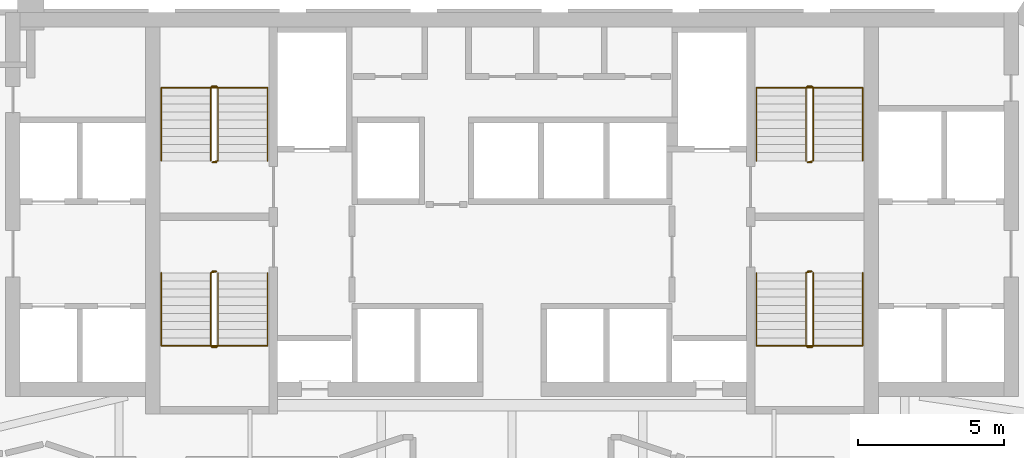
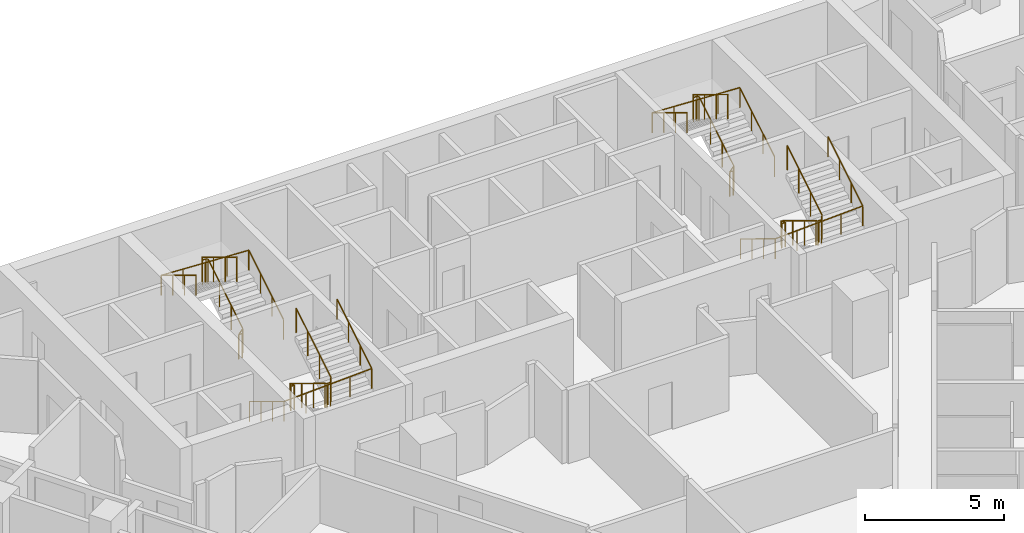
# One storey, part 11 of 11: 8 railings.
"""IFC4 building model written with IfcOpenShell, lengths in metres."""

from ifc_helpers import new_model, si_unit, direction, frame, origin, origin_2d, place, context, subcontext, project, spatial, circle, extrude, material, type_object, element, save


model = new_model("IFC4")

# Units and contexts
model_context = context("Model", 3, precision=1e-05, world=origin(), true_north=direction((0.0, 1.0)))
body_context = subcontext(model_context, "Body", "Model", "MODEL_VIEW")
ifc_project = project(units=[si_unit("LENGTHUNIT", "METRE"), si_unit("AREAUNIT", "SQUARE_METRE"), si_unit("VOLUMEUNIT", "CUBIC_METRE"), si_unit("PLANEANGLEUNIT", "RADIAN"), si_unit("MASSUNIT", "GRAM", prefix="KILO")], contexts=[model_context])

# Site, building, storey
site_placement = place(None, origin())
site = spatial("IfcSite", under=ifc_project, at=site_placement, CompositionType="ELEMENT")
building_placement = place(site_placement, origin())
building = spatial("IfcBuilding", under=site, at=building_placement, Name="Calabash Gate Tower", CompositionType="ELEMENT")
storey_placement = place(building_placement, frame((0.0, 0.0, 115.60009765625)))
storey = spatial("IfcBuildingStorey", under=building, at=storey_placement, Name="L26", CompositionType="ELEMENT", Elevation=115.60009765625)

# Railings
ifc_material_1 = material(Name="Black powder-coated steel balusters", Category="steel")
railing_type_1 = type_object("IfcRailingType", Name="Stair guard RL1100", PredefinedType="GUARDRAIL", material=ifc_material_1)
railing_1_placement = place(storey_placement, frame((-10.14990234375, 13.902587890625, 0.0)))
element("IfcRailing", 1, at=railing_1_placement, inside=storey, type_object=railing_type_1, Name="L26 ST1 stair guard 1", PredefinedType="GUARDRAIL", context=body_context, shape_type="SweptSolid", body=[
    extrude(circle(Radius=0.02392578125, at=origin_2d()), frame((0.0, 0.0, 1.076171875), z_axis=(-1.0, 0.0, 0.0), x_axis=(0.0, -1.0, 0.0)), (0.0, 0.0, 1.0), 0.150146484375),
    extrude(circle(Radius=0.02392578125, at=origin_2d()), frame((-0.150146484375, 0.0, 1.076171875), z_axis=(0.748514443355, 0.187357095101, 0.636100186295), x_axis=(-0.242814311512, 0.970072785993, 0.0)), (0.0, 0.0, 1.0), 0.26708984375),
    extrude(circle(Radius=0.02392578125, at=origin_2d()), frame((0.0498046875, 0.050048828125, 1.24609375), z_axis=(0.0, 0.853956361026, 0.520344629514), x_axis=(-1.0, 0.0, 0.0)), (0.0, 0.0, 1.0), 2.9404296875),
    extrude(circle(Radius=0.02392578125, at=origin_2d()), frame((0.0498046875, 2.56103515625, 2.77587890625), z_axis=(-0.705375805398, 0.708833529934, 0.0), x_axis=(-0.708833529934, -0.705375805398, 0.0)), (0.0, 0.0, 1.0), 0.070556640625),
    extrude(circle(Radius=0.02392578125, at=origin_2d()), frame((0.0, 2.611083984375, 2.77587890625), z_axis=(-1.0, 0.0, 0.0), x_axis=(0.0, -1.0, 0.0)), (0.0, 0.0, 1.0), 0.150146484375),
    extrude(circle(Radius=0.02392578125, at=origin_2d()), frame((-0.150146484375, 2.611083984375, 2.77587890625), z_axis=(-0.271895245746, -0.271895245746, 0.923117517265), x_axis=(0.707106781187, -0.707106781187, 0.0)), (0.0, 0.0, 1.0), 0.18408203125),
    extrude(circle(Radius=0.02392578125, at=origin_2d()), frame((-0.2001953125, 2.56103515625, 2.94580078125), z_axis=(0.0, -0.853956361026, 0.520344629514), x_axis=(1.0, 0.0, 0.0)), (0.0, 0.0, 1.0), 2.9404296875),
    extrude(circle(Radius=0.02099609375, at=origin_2d()), origin(), (0.0, 0.0, 1.0), 1.052001953125),
    extrude(circle(Radius=0.02099609375, at=origin_2d()), frame((-0.150146484375, 0.0, 0.0)), (0.0, 0.0, 1.0), 1.052001953125),
    extrude(circle(Radius=0.02099609375, at=origin_2d()), frame((0.0498046875, 0.050048828125, 0.169921875)), (0.0, 0.0, 1.0), 1.052001953125),
    extrude(circle(Radius=0.02099609375, at=origin_2d()), frame((0.0498046875, 0.886962890625, 0.679931640625)), (0.0, 0.0, 1.0), 1.052001953125),
    extrude(circle(Radius=0.02099609375, at=origin_2d()), frame((0.0498046875, 1.72412109375, 1.18994140625)), (0.0, 0.0, 1.0), 1.052001953125),
    extrude(circle(Radius=0.02099609375, at=origin_2d()), frame((0.0498046875, 2.56103515625, 1.699951171875)), (0.0, 0.0, 1.0), 1.052001953125),
    extrude(circle(Radius=0.02099609375, at=origin_2d()), frame((0.0, 2.611083984375, 1.699951171875)), (0.0, 0.0, 1.0), 1.052001953125),
    extrude(circle(Radius=0.02099609375, at=origin_2d()), frame((-0.150146484375, 2.611083984375, 1.699951171875)), (0.0, 0.0, 1.0), 1.052001953125),
    extrude(circle(Radius=0.02099609375, at=origin_2d()), frame((-0.2001953125, 2.56103515625, 1.869873046875)), (0.0, 0.0, 1.0), 1.052001953125),
    extrude(circle(Radius=0.02099609375, at=origin_2d()), frame((-0.2001953125, 1.72412109375, 2.3798828125)), (0.0, 0.0, 1.0), 1.052001953125),
    extrude(circle(Radius=0.02099609375, at=origin_2d()), frame((-0.2001953125, 0.886962890625, 2.889892578125)), (0.0, 0.0, 1.0), 1.052001953125),
    extrude(circle(Radius=0.02099609375, at=origin_2d()), frame((-0.2001953125, 0.050048828125, 3.39990234375)), (0.0, 0.0, 1.0), 1.052001953125),
])
railing_2_placement = place(storey_placement, frame((-10.300048828125, 10.152587890625, 0.0)))
element("IfcRailing", 2, at=railing_2_placement, inside=storey, type_object=railing_type_1, Name="L26 ST2 stair guard 1", PredefinedType="GUARDRAIL", context=body_context, shape_type="SweptSolid", body=[
    extrude(circle(Radius=0.02392578125, at=origin_2d()), frame((0.0, 0.0, 1.076171875), z_axis=(1.0, 0.0, 0.0), x_axis=(0.0, 1.0, 0.0)), (0.0, 0.0, 1.0), 0.150146484375),
    extrude(circle(Radius=0.02392578125, at=origin_2d()), frame((0.150146484375, 0.0, 1.076171875), z_axis=(-0.748915913269, -0.187228978317, 0.635665214189), x_axis=(0.242535625036, -0.970142500145, 0.0)), (0.0, 0.0, 1.0), 0.267333984375),
    extrude(circle(Radius=0.02392578125, at=origin_2d()), frame((-0.050048828125, -0.050048828125, 1.24609375), z_axis=(0.0, -0.853956361026, 0.520344629514), x_axis=(1.0, 0.0, 0.0)), (0.0, 0.0, 1.0), 2.9404296875),
    extrude(circle(Radius=0.02392578125, at=origin_2d()), frame((-0.050048828125, -2.56103515625, 2.77587890625), z_axis=(0.707106781187, -0.707106781187, 0.0), x_axis=(0.707106781187, 0.707106781187, 0.0)), (0.0, 0.0, 1.0), 0.07080078125),
    extrude(circle(Radius=0.02392578125, at=origin_2d()), frame((0.0, -2.611083984375, 2.77587890625), z_axis=(1.0, 0.0, 0.0), x_axis=(0.0, 1.0, 0.0)), (0.0, 0.0, 1.0), 0.150146484375),
    extrude(circle(Radius=0.02392578125, at=origin_2d()), frame((0.150146484375, -2.611083984375, 2.77587890625), z_axis=(0.270666314514, 0.271993110173, 0.92344977893), x_axis=(-0.708833529934, 0.705375805398, 0.0)), (0.0, 0.0, 1.0), 0.18408203125),
    extrude(circle(Radius=0.02392578125, at=origin_2d()), frame((0.199951171875, -2.56103515625, 2.94580078125), z_axis=(0.0, 0.853956361026, 0.520344629514), x_axis=(-1.0, 0.0, 0.0)), (0.0, 0.0, 1.0), 2.9404296875),
    extrude(circle(Radius=0.02099609375, at=origin_2d()), origin(), (0.0, 0.0, 1.0), 1.052001953125),
    extrude(circle(Radius=0.02099609375, at=origin_2d()), frame((0.150146484375, 0.0, 0.0)), (0.0, 0.0, 1.0), 1.052001953125),
    extrude(circle(Radius=0.02099609375, at=origin_2d()), frame((-0.050048828125, -0.050048828125, 0.169921875)), (0.0, 0.0, 1.0), 1.052001953125),
    extrude(circle(Radius=0.02099609375, at=origin_2d()), frame((-0.050048828125, -0.886962890625, 0.679931640625)), (0.0, 0.0, 1.0), 1.052001953125),
    extrude(circle(Radius=0.02099609375, at=origin_2d()), frame((-0.050048828125, -1.72412109375, 1.18994140625)), (0.0, 0.0, 1.0), 1.052001953125),
    extrude(circle(Radius=0.02099609375, at=origin_2d()), frame((-0.050048828125, -2.56103515625, 1.699951171875)), (0.0, 0.0, 1.0), 1.052001953125),
    extrude(circle(Radius=0.02099609375, at=origin_2d()), frame((0.0, -2.611083984375, 1.699951171875)), (0.0, 0.0, 1.0), 1.052001953125),
    extrude(circle(Radius=0.02099609375, at=origin_2d()), frame((0.150146484375, -2.611083984375, 1.699951171875)), (0.0, 0.0, 1.0), 1.052001953125),
    extrude(circle(Radius=0.02099609375, at=origin_2d()), frame((0.199951171875, -2.56103515625, 1.869873046875)), (0.0, 0.0, 1.0), 1.052001953125),
    extrude(circle(Radius=0.02099609375, at=origin_2d()), frame((0.199951171875, -1.72412109375, 2.3798828125)), (0.0, 0.0, 1.0), 1.052001953125),
    extrude(circle(Radius=0.02099609375, at=origin_2d()), frame((0.199951171875, -0.886962890625, 2.889892578125)), (0.0, 0.0, 1.0), 1.052001953125),
    extrude(circle(Radius=0.02099609375, at=origin_2d()), frame((0.199951171875, -0.050048828125, 3.39990234375)), (0.0, 0.0, 1.0), 1.052001953125),
])
railing_3_placement = place(storey_placement, frame((10.300048828125, 13.902587890625, 0.0)))
element("IfcRailing", 3, at=railing_3_placement, inside=storey, type_object=railing_type_1, Name="L26 ST3 stair guard 1", PredefinedType="GUARDRAIL", context=body_context, shape_type="SweptSolid", body=[
    extrude(circle(Radius=0.02392578125, at=origin_2d()), frame((0.0, 0.0, 1.076171875), z_axis=(-1.0, 0.0, 0.0), x_axis=(0.0, -1.0, 0.0)), (0.0, 0.0, 1.0), 0.150146484375),
    extrude(circle(Radius=0.02392578125, at=origin_2d()), frame((-0.150146484375, 0.0, 1.076171875), z_axis=(0.748915913269, 0.187228978317, 0.635665214189), x_axis=(-0.242535625036, 0.970142500145, 0.0)), (0.0, 0.0, 1.0), 0.267333984375),
    extrude(circle(Radius=0.02392578125, at=origin_2d()), frame((0.050048828125, 0.050048828125, 1.24609375), z_axis=(0.0, 0.853956361026, 0.520344629514), x_axis=(-1.0, 0.0, 0.0)), (0.0, 0.0, 1.0), 2.9404296875),
    extrude(circle(Radius=0.02392578125, at=origin_2d()), frame((0.050048828125, 2.56103515625, 2.77587890625), z_axis=(-0.707106781187, 0.707106781187, 0.0), x_axis=(-0.707106781187, -0.707106781187, 0.0)), (0.0, 0.0, 1.0), 0.07080078125),
    extrude(circle(Radius=0.02392578125, at=origin_2d()), frame((0.0, 2.611083984375, 2.77587890625), z_axis=(-1.0, 0.0, 0.0), x_axis=(0.0, -1.0, 0.0)), (0.0, 0.0, 1.0), 0.150146484375),
    extrude(circle(Radius=0.02392578125, at=origin_2d()), frame((-0.150146484375, 2.611083984375, 2.77587890625), z_axis=(-0.270666314514, -0.271993110173, 0.92344977893), x_axis=(0.708833529934, -0.705375805398, 0.0)), (0.0, 0.0, 1.0), 0.18408203125),
    extrude(circle(Radius=0.02392578125, at=origin_2d()), frame((-0.199951171875, 2.56103515625, 2.94580078125), z_axis=(0.0, -0.853956361026, 0.520344629514), x_axis=(1.0, 0.0, 0.0)), (0.0, 0.0, 1.0), 2.9404296875),
    extrude(circle(Radius=0.02099609375, at=origin_2d()), origin(), (0.0, 0.0, 1.0), 1.052001953125),
    extrude(circle(Radius=0.02099609375, at=origin_2d()), frame((-0.150146484375, 0.0, 0.0)), (0.0, 0.0, 1.0), 1.052001953125),
    extrude(circle(Radius=0.02099609375, at=origin_2d()), frame((0.050048828125, 0.050048828125, 0.169921875)), (0.0, 0.0, 1.0), 1.052001953125),
    extrude(circle(Radius=0.02099609375, at=origin_2d()), frame((0.050048828125, 0.886962890625, 0.679931640625)), (0.0, 0.0, 1.0), 1.052001953125),
    extrude(circle(Radius=0.02099609375, at=origin_2d()), frame((0.050048828125, 1.72412109375, 1.18994140625)), (0.0, 0.0, 1.0), 1.052001953125),
    extrude(circle(Radius=0.02099609375, at=origin_2d()), frame((0.050048828125, 2.56103515625, 1.699951171875)), (0.0, 0.0, 1.0), 1.052001953125),
    extrude(circle(Radius=0.02099609375, at=origin_2d()), frame((0.0, 2.611083984375, 1.699951171875)), (0.0, 0.0, 1.0), 1.052001953125),
    extrude(circle(Radius=0.02099609375, at=origin_2d()), frame((-0.150146484375, 2.611083984375, 1.699951171875)), (0.0, 0.0, 1.0), 1.052001953125),
    extrude(circle(Radius=0.02099609375, at=origin_2d()), frame((-0.199951171875, 2.56103515625, 1.869873046875)), (0.0, 0.0, 1.0), 1.052001953125),
    extrude(circle(Radius=0.02099609375, at=origin_2d()), frame((-0.199951171875, 1.72412109375, 2.3798828125)), (0.0, 0.0, 1.0), 1.052001953125),
    extrude(circle(Radius=0.02099609375, at=origin_2d()), frame((-0.199951171875, 0.886962890625, 2.889892578125)), (0.0, 0.0, 1.0), 1.052001953125),
    extrude(circle(Radius=0.02099609375, at=origin_2d()), frame((-0.199951171875, 0.050048828125, 3.39990234375)), (0.0, 0.0, 1.0), 1.052001953125),
])
railing_4_placement = place(storey_placement, frame((10.14990234375, 10.152587890625, 0.0)))
element("IfcRailing", 4, at=railing_4_placement, inside=storey, type_object=railing_type_1, Name="L26 ST4 stair guard 1", PredefinedType="GUARDRAIL", context=body_context, shape_type="SweptSolid", body=[
    extrude(circle(Radius=0.02392578125, at=origin_2d()), frame((0.0, 0.0, 1.076171875), z_axis=(1.0, 0.0, 0.0), x_axis=(0.0, 1.0, 0.0)), (0.0, 0.0, 1.0), 0.150146484375),
    extrude(circle(Radius=0.02392578125, at=origin_2d()), frame((0.150146484375, 0.0, 1.076171875), z_axis=(-0.748514443355, -0.187357095101, 0.636100186295), x_axis=(0.242814311512, -0.970072785993, 0.0)), (0.0, 0.0, 1.0), 0.26708984375),
    extrude(circle(Radius=0.02392578125, at=origin_2d()), frame((-0.0498046875, -0.050048828125, 1.24609375), z_axis=(0.0, -0.853956361026, 0.520344629514), x_axis=(1.0, 0.0, 0.0)), (0.0, 0.0, 1.0), 2.9404296875),
    extrude(circle(Radius=0.02392578125, at=origin_2d()), frame((-0.0498046875, -2.56103515625, 2.77587890625), z_axis=(0.705375805398, -0.708833529934, 0.0), x_axis=(0.708833529934, 0.705375805398, 0.0)), (0.0, 0.0, 1.0), 0.070556640625),
    extrude(circle(Radius=0.02392578125, at=origin_2d()), frame((0.0, -2.611083984375, 2.77587890625), z_axis=(1.0, 0.0, 0.0), x_axis=(0.0, 1.0, 0.0)), (0.0, 0.0, 1.0), 0.150146484375),
    extrude(circle(Radius=0.02392578125, at=origin_2d()), frame((0.150146484375, -2.611083984375, 2.77587890625), z_axis=(0.271895245746, 0.271895245746, 0.923117517265), x_axis=(-0.707106781187, 0.707106781187, 0.0)), (0.0, 0.0, 1.0), 0.18408203125),
    extrude(circle(Radius=0.02392578125, at=origin_2d()), frame((0.2001953125, -2.56103515625, 2.94580078125), z_axis=(0.0, 0.853956361026, 0.520344629514), x_axis=(-1.0, 0.0, 0.0)), (0.0, 0.0, 1.0), 2.9404296875),
    extrude(circle(Radius=0.02099609375, at=origin_2d()), origin(), (0.0, 0.0, 1.0), 1.052001953125),
    extrude(circle(Radius=0.02099609375, at=origin_2d()), frame((0.150146484375, 0.0, 0.0)), (0.0, 0.0, 1.0), 1.052001953125),
    extrude(circle(Radius=0.02099609375, at=origin_2d()), frame((-0.0498046875, -0.050048828125, 0.169921875)), (0.0, 0.0, 1.0), 1.052001953125),
    extrude(circle(Radius=0.02099609375, at=origin_2d()), frame((-0.0498046875, -0.886962890625, 0.679931640625)), (0.0, 0.0, 1.0), 1.052001953125),
    extrude(circle(Radius=0.02099609375, at=origin_2d()), frame((-0.0498046875, -1.72412109375, 1.18994140625)), (0.0, 0.0, 1.0), 1.052001953125),
    extrude(circle(Radius=0.02099609375, at=origin_2d()), frame((-0.0498046875, -2.56103515625, 1.699951171875)), (0.0, 0.0, 1.0), 1.052001953125),
    extrude(circle(Radius=0.02099609375, at=origin_2d()), frame((0.0, -2.611083984375, 1.699951171875)), (0.0, 0.0, 1.0), 1.052001953125),
    extrude(circle(Radius=0.02099609375, at=origin_2d()), frame((0.150146484375, -2.611083984375, 1.699951171875)), (0.0, 0.0, 1.0), 1.052001953125),
    extrude(circle(Radius=0.02099609375, at=origin_2d()), frame((0.2001953125, -2.56103515625, 1.869873046875)), (0.0, 0.0, 1.0), 1.052001953125),
    extrude(circle(Radius=0.02099609375, at=origin_2d()), frame((0.2001953125, -1.72412109375, 2.3798828125)), (0.0, 0.0, 1.0), 1.052001953125),
    extrude(circle(Radius=0.02099609375, at=origin_2d()), frame((0.2001953125, -0.886962890625, 2.889892578125)), (0.0, 0.0, 1.0), 1.052001953125),
    extrude(circle(Radius=0.02099609375, at=origin_2d()), frame((0.2001953125, -0.050048828125, 3.39990234375)), (0.0, 0.0, 1.0), 1.052001953125),
])
ifc_material_2 = material(Name="Black powder-coated steel tube 48 mm", Category="steel")
railing_type_2 = type_object("IfcRailingType", Name="Stair handrail RL900", PredefinedType="HANDRAIL", material=ifc_material_2)
railing_5_placement = place(storey_placement, frame((-8.39990234375, 13.95263671875, 0.169921875)))
element("IfcRailing", 5, at=railing_5_placement, inside=storey, type_object=railing_type_2, Name="L26 ST1 stair handrail 1", PredefinedType="HANDRAIL", context=body_context, shape_type="SweptSolid", body=[
    extrude(circle(Radius=0.02392578125, at=origin_2d()), frame((0.0, 0.0, 0.8759765625), z_axis=(0.0, 0.853956361026, 0.520344629514), x_axis=(-1.0, 0.0, 0.0)), (0.0, 0.0, 1.0), 2.9404296875),
    extrude(circle(Radius=0.02392578125, at=origin_2d()), frame((0.0, 2.510986328125, 2.40576171875), z_axis=(-0.998918210324, 0.0, 0.046501710547), x_axis=(0.0, -1.0, 0.0)), (0.0, 0.0, 1.0), 3.654052734375),
    extrude(circle(Radius=0.02392578125, at=origin_2d()), frame((-3.650146484375, 2.510986328125, 2.57568359375), z_axis=(0.0, -0.853956361026, 0.520344629514), x_axis=(1.0, 0.0, 0.0)), (0.0, 0.0, 1.0), 2.9404296875),
    extrude(circle(Radius=0.02099609375, at=origin_2d()), origin(), (0.0, 0.0, 1.0), 0.851806640625),
    extrude(circle(Radius=0.02099609375, at=origin_2d()), frame((0.0, 0.8369140625, 0.510009765625)), (0.0, 0.0, 1.0), 0.851806640625),
    extrude(circle(Radius=0.02099609375, at=origin_2d()), frame((0.0, 1.674072265625, 1.02001953125)), (0.0, 0.0, 1.0), 0.851806640625),
    extrude(circle(Radius=0.02099609375, at=origin_2d()), frame((0.0, 2.510986328125, 1.530029296875)), (0.0, 0.0, 1.0), 0.851806640625),
    extrude(circle(Radius=0.02099609375, at=origin_2d()), frame((-0.91259765625, 2.510986328125, 1.572509765625)), (0.0, 0.0, 1.0), 0.851806640625),
    extrude(circle(Radius=0.02099609375, at=origin_2d()), frame((-1.8251953125, 2.510986328125, 1.614990234375)), (0.0, 0.0, 1.0), 0.851806640625),
    extrude(circle(Radius=0.02099609375, at=origin_2d()), frame((-2.737548828125, 2.510986328125, 1.657470703125)), (0.0, 0.0, 1.0), 0.851806640625),
    extrude(circle(Radius=0.02099609375, at=origin_2d()), frame((-3.650146484375, 2.510986328125, 1.699951171875)), (0.0, 0.0, 1.0), 0.851806640625),
    extrude(circle(Radius=0.02099609375, at=origin_2d()), frame((-3.650146484375, 1.674072265625, 2.2099609375)), (0.0, 0.0, 1.0), 0.851806640625),
    extrude(circle(Radius=0.02099609375, at=origin_2d()), frame((-3.650146484375, 0.8369140625, 2.719970703125)), (0.0, 0.0, 1.0), 0.851806640625),
    extrude(circle(Radius=0.02099609375, at=origin_2d()), frame((-3.650146484375, 0.0, 3.22998046875)), (0.0, 0.0, 1.0), 0.851806640625),
])
railing_6_placement = place(storey_placement, frame((-12.050048828125, 10.1025390625, 0.169921875)))
element("IfcRailing", 6, at=railing_6_placement, inside=storey, type_object=railing_type_2, Name="L26 ST2 stair handrail 1", PredefinedType="HANDRAIL", context=body_context, shape_type="SweptSolid", body=[
    extrude(circle(Radius=0.02392578125, at=origin_2d()), frame((0.0, 0.0, 0.8759765625), z_axis=(0.0, -0.853956361026, 0.520344629514), x_axis=(1.0, 0.0, 0.0)), (0.0, 0.0, 1.0), 2.9404296875),
    extrude(circle(Radius=0.02392578125, at=origin_2d()), frame((0.0, -2.510986328125, 2.40576171875), z_axis=(0.998918210324, 0.0, 0.046501710547), x_axis=(0.0, 1.0, 0.0)), (0.0, 0.0, 1.0), 3.654052734375),
    extrude(circle(Radius=0.02392578125, at=origin_2d()), frame((3.650146484375, -2.510986328125, 2.57568359375), z_axis=(0.0, 0.853956361026, 0.520344629514), x_axis=(-1.0, 0.0, 0.0)), (0.0, 0.0, 1.0), 2.9404296875),
    extrude(circle(Radius=0.02099609375, at=origin_2d()), origin(), (0.0, 0.0, 1.0), 0.851806640625),
    extrude(circle(Radius=0.02099609375, at=origin_2d()), frame((0.0, -0.8369140625, 0.510009765625)), (0.0, 0.0, 1.0), 0.851806640625),
    extrude(circle(Radius=0.02099609375, at=origin_2d()), frame((0.0, -1.674072265625, 1.02001953125)), (0.0, 0.0, 1.0), 0.851806640625),
    extrude(circle(Radius=0.02099609375, at=origin_2d()), frame((0.0, -2.510986328125, 1.530029296875)), (0.0, 0.0, 1.0), 0.851806640625),
    extrude(circle(Radius=0.02099609375, at=origin_2d()), frame((0.91259765625, -2.510986328125, 1.572509765625)), (0.0, 0.0, 1.0), 0.851806640625),
    extrude(circle(Radius=0.02099609375, at=origin_2d()), frame((1.8251953125, -2.510986328125, 1.614990234375)), (0.0, 0.0, 1.0), 0.851806640625),
    extrude(circle(Radius=0.02099609375, at=origin_2d()), frame((2.737548828125, -2.510986328125, 1.657470703125)), (0.0, 0.0, 1.0), 0.851806640625),
    extrude(circle(Radius=0.02099609375, at=origin_2d()), frame((3.650146484375, -2.510986328125, 1.699951171875)), (0.0, 0.0, 1.0), 0.851806640625),
    extrude(circle(Radius=0.02099609375, at=origin_2d()), frame((3.650146484375, -1.674072265625, 2.2099609375)), (0.0, 0.0, 1.0), 0.851806640625),
    extrude(circle(Radius=0.02099609375, at=origin_2d()), frame((3.650146484375, -0.8369140625, 2.719970703125)), (0.0, 0.0, 1.0), 0.851806640625),
    extrude(circle(Radius=0.02099609375, at=origin_2d()), frame((3.650146484375, 0.0, 3.22998046875)), (0.0, 0.0, 1.0), 0.851806640625),
])
railing_7_placement = place(storey_placement, frame((12.050048828125, 13.95263671875, 0.169921875)))
element("IfcRailing", 7, at=railing_7_placement, inside=storey, type_object=railing_type_2, Name="L26 ST3 stair handrail 1", PredefinedType="HANDRAIL", context=body_context, shape_type="SweptSolid", body=[
    extrude(circle(Radius=0.02392578125, at=origin_2d()), frame((0.0, 0.0, 0.8759765625), z_axis=(0.0, 0.853956361026, 0.520344629514), x_axis=(-1.0, 0.0, 0.0)), (0.0, 0.0, 1.0), 2.9404296875),
    extrude(circle(Radius=0.02392578125, at=origin_2d()), frame((0.0, 2.510986328125, 2.40576171875), z_axis=(-0.998918210324, 0.0, 0.046501710547), x_axis=(0.0, -1.0, 0.0)), (0.0, 0.0, 1.0), 3.654052734375),
    extrude(circle(Radius=0.02392578125, at=origin_2d()), frame((-3.650146484375, 2.510986328125, 2.57568359375), z_axis=(0.0, -0.853956361026, 0.520344629514), x_axis=(1.0, 0.0, 0.0)), (0.0, 0.0, 1.0), 2.9404296875),
    extrude(circle(Radius=0.02099609375, at=origin_2d()), origin(), (0.0, 0.0, 1.0), 0.851806640625),
    extrude(circle(Radius=0.02099609375, at=origin_2d()), frame((0.0, 0.8369140625, 0.510009765625)), (0.0, 0.0, 1.0), 0.851806640625),
    extrude(circle(Radius=0.02099609375, at=origin_2d()), frame((0.0, 1.674072265625, 1.02001953125)), (0.0, 0.0, 1.0), 0.851806640625),
    extrude(circle(Radius=0.02099609375, at=origin_2d()), frame((0.0, 2.510986328125, 1.530029296875)), (0.0, 0.0, 1.0), 0.851806640625),
    extrude(circle(Radius=0.02099609375, at=origin_2d()), frame((-0.91259765625, 2.510986328125, 1.572509765625)), (0.0, 0.0, 1.0), 0.851806640625),
    extrude(circle(Radius=0.02099609375, at=origin_2d()), frame((-1.8251953125, 2.510986328125, 1.614990234375)), (0.0, 0.0, 1.0), 0.851806640625),
    extrude(circle(Radius=0.02099609375, at=origin_2d()), frame((-2.737548828125, 2.510986328125, 1.657470703125)), (0.0, 0.0, 1.0), 0.851806640625),
    extrude(circle(Radius=0.02099609375, at=origin_2d()), frame((-3.650146484375, 2.510986328125, 1.699951171875)), (0.0, 0.0, 1.0), 0.851806640625),
    extrude(circle(Radius=0.02099609375, at=origin_2d()), frame((-3.650146484375, 1.674072265625, 2.2099609375)), (0.0, 0.0, 1.0), 0.851806640625),
    extrude(circle(Radius=0.02099609375, at=origin_2d()), frame((-3.650146484375, 0.8369140625, 2.719970703125)), (0.0, 0.0, 1.0), 0.851806640625),
    extrude(circle(Radius=0.02099609375, at=origin_2d()), frame((-3.650146484375, 0.0, 3.22998046875)), (0.0, 0.0, 1.0), 0.851806640625),
])
railing_8_placement = place(storey_placement, frame((8.39990234375, 10.1025390625, 0.169921875)))
element("IfcRailing", 8, at=railing_8_placement, inside=storey, type_object=railing_type_2, Name="L26 ST4 stair handrail 1", PredefinedType="HANDRAIL", context=body_context, shape_type="SweptSolid", body=[
    extrude(circle(Radius=0.02392578125, at=origin_2d()), frame((0.0, 0.0, 0.8759765625), z_axis=(0.0, -0.853956361026, 0.520344629514), x_axis=(1.0, 0.0, 0.0)), (0.0, 0.0, 1.0), 2.9404296875),
    extrude(circle(Radius=0.02392578125, at=origin_2d()), frame((0.0, -2.510986328125, 2.40576171875), z_axis=(0.998918210324, 0.0, 0.046501710547), x_axis=(0.0, 1.0, 0.0)), (0.0, 0.0, 1.0), 3.654052734375),
    extrude(circle(Radius=0.02392578125, at=origin_2d()), frame((3.650146484375, -2.510986328125, 2.57568359375), z_axis=(0.0, 0.853956361026, 0.520344629514), x_axis=(-1.0, 0.0, 0.0)), (0.0, 0.0, 1.0), 2.9404296875),
    extrude(circle(Radius=0.02099609375, at=origin_2d()), origin(), (0.0, 0.0, 1.0), 0.851806640625),
    extrude(circle(Radius=0.02099609375, at=origin_2d()), frame((0.0, -0.8369140625, 0.510009765625)), (0.0, 0.0, 1.0), 0.851806640625),
    extrude(circle(Radius=0.02099609375, at=origin_2d()), frame((0.0, -1.674072265625, 1.02001953125)), (0.0, 0.0, 1.0), 0.851806640625),
    extrude(circle(Radius=0.02099609375, at=origin_2d()), frame((0.0, -2.510986328125, 1.530029296875)), (0.0, 0.0, 1.0), 0.851806640625),
    extrude(circle(Radius=0.02099609375, at=origin_2d()), frame((0.91259765625, -2.510986328125, 1.572509765625)), (0.0, 0.0, 1.0), 0.851806640625),
    extrude(circle(Radius=0.02099609375, at=origin_2d()), frame((1.8251953125, -2.510986328125, 1.614990234375)), (0.0, 0.0, 1.0), 0.851806640625),
    extrude(circle(Radius=0.02099609375, at=origin_2d()), frame((2.737548828125, -2.510986328125, 1.657470703125)), (0.0, 0.0, 1.0), 0.851806640625),
    extrude(circle(Radius=0.02099609375, at=origin_2d()), frame((3.650146484375, -2.510986328125, 1.699951171875)), (0.0, 0.0, 1.0), 0.851806640625),
    extrude(circle(Radius=0.02099609375, at=origin_2d()), frame((3.650146484375, -1.674072265625, 2.2099609375)), (0.0, 0.0, 1.0), 0.851806640625),
    extrude(circle(Radius=0.02099609375, at=origin_2d()), frame((3.650146484375, -0.8369140625, 2.719970703125)), (0.0, 0.0, 1.0), 0.851806640625),
    extrude(circle(Radius=0.02099609375, at=origin_2d()), frame((3.650146484375, 0.0, 3.22998046875)), (0.0, 0.0, 1.0), 0.851806640625),
])

save(model, "model.ifc")
